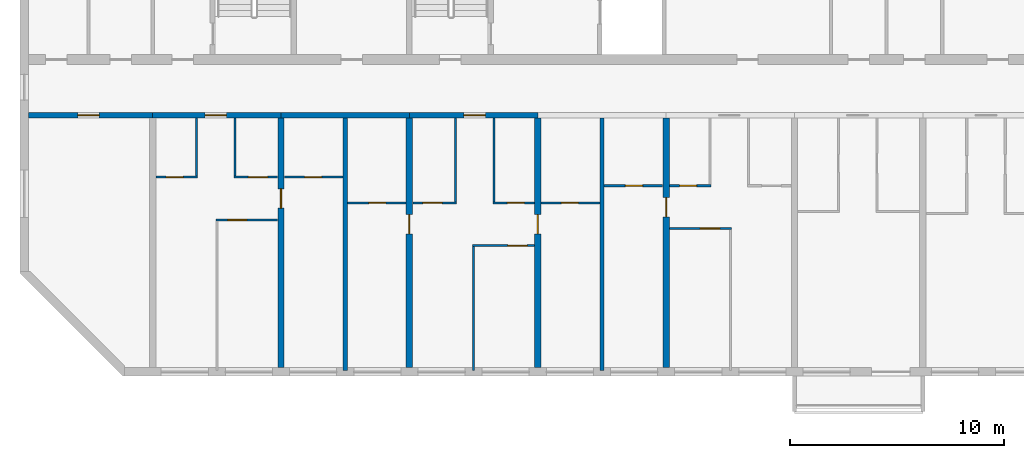
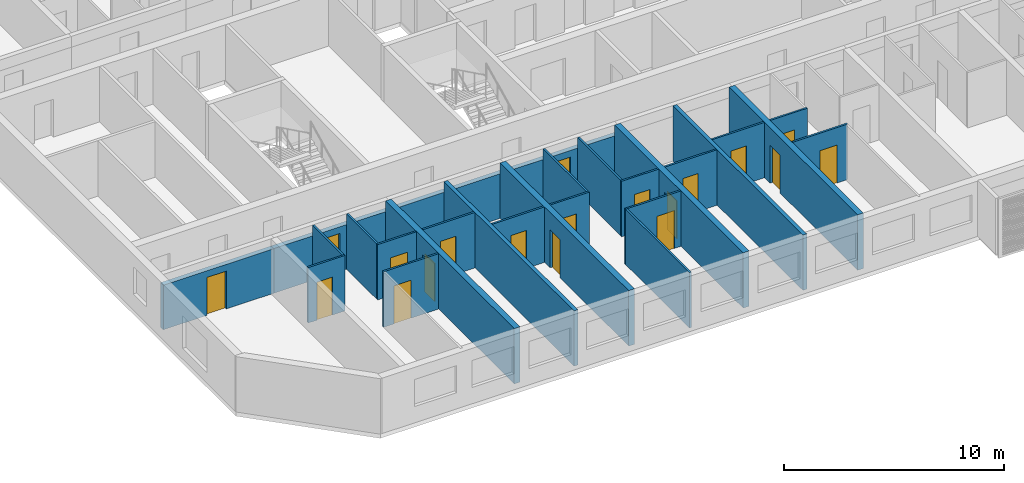
# One storey, part 2 of 31: 27 walls, 19 doors, 19 openings.
"""IFC4 building model written with IfcOpenShell, lengths in metres."""

from ifc_helpers import new_model, si_unit, direction, frame, frame_2d, origin, place, context, subcontext, project, spatial, rectangle, extrude, material, layer, layer_set, type_object, element, fill, save


model = new_model("IFC4")

# Units and contexts
model_context = context("Model", 3, precision=1e-05, world=origin(), true_north=direction((0.0, 1.0)))
body_context = subcontext(model_context, "Body", "Model", "MODEL_VIEW")
ifc_project = project(units=[si_unit("LENGTHUNIT", "METRE"), si_unit("AREAUNIT", "SQUARE_METRE"), si_unit("VOLUMEUNIT", "CUBIC_METRE"), si_unit("PLANEANGLEUNIT", "RADIAN"), si_unit("MASSUNIT", "GRAM", prefix="KILO")], contexts=[model_context])

# Site, building, storey
site_placement = place(None, origin())
site = spatial("IfcSite", under=ifc_project, at=site_placement, CompositionType="ELEMENT")
building_placement = place(site_placement, origin())
building = spatial("IfcBuilding", under=site, at=building_placement, Name="Poui Terraces", CompositionType="ELEMENT")
storey_placement = place(building_placement, frame((0.0, 0.0, 145.5)))
storey = spatial("IfcBuildingStorey", under=building, at=storey_placement, Name="L40", CompositionType="ELEMENT", Elevation=145.5)

# Wall, opening, door
ifc_material_1 = material(Name="Concrete 65 MPa", Category="concrete")
ifc_layer_1 = layer(ifc_material_1, 0.25)
ifc_layer_set_1 = layer_set([ifc_layer_1], Name="Concrete 65 MPa")
wall_type_1 = type_object("IfcWallType", Name="CORRIDOR WALL 250 65MPa", PredefinedType="SHEAR", material=ifc_layer_set_1)
wall_1_placement = place(storey_placement, frame((12.199951171875, 12.0, 0.0), z_axis=(0.0, 0.0, 1.0), x_axis=(1.0, 0.0, 0.0)))
wall_1 = element("IfcWall", 1, at=wall_1_placement, inside=storey, type_object=wall_type_1, Name="CORRIDOR WALL LINE B BAY 1", PredefinedType="SHEAR", context=body_context, shape_type="SweptSolid", body=[
    extrude(rectangle(XDim=5.800048828125, YDim=0.25, at=frame_2d((2.89990234375, 0.0))), origin(), (0.0, 0.0, 1.0), 2.469970703125),
])
opening_1_placement = place(wall_1_placement, frame((2.300048828125, 0.0, 0.0)))
opening_1 = element("IfcOpeningElement", 2, at=opening_1_placement, cuts=wall_1, Name="Opening D100", PredefinedType="OPENING", context=body_context, shape_type="SweptSolid", body=[
    extrude(rectangle(XDim=1.0, YDim=2.10009765625, at=frame_2d((0.5, 1.050048828125))), frame((0.0, 0.135009765625, 0.0), z_axis=(0.0, -1.0, 0.0), x_axis=(1.0, 0.0, 0.0)), (0.0, 0.0, 1.0), 0.27001953125),
])
ifc_material_2 = material(Name="Solid core timber door", Category="wood")
door_type_1 = type_object("IfcDoorType", Name="ACCESSIBLE INTERNAL DOOR 1000 X 2100", OperationType="NOTDEFINED", PredefinedType="DOOR", material=ifc_material_2)
door_1_placement = place(opening_1_placement, frame((1.0, 0.0, 0.0), z_axis=(0.0, 0.0, 1.0), x_axis=(-1.0, 0.0, 0.0)))
door_1 = element("IfcDoor", 3, at=door_1_placement, inside=storey, type_object=door_type_1, Name="ACCESSIBLE INTERNAL DOOR 077", OperationType="SINGLE_SWING_RIGHT", OverallHeight=2.10009765625, OverallWidth=1.0, PredefinedType="DOOR", context=body_context, shape_type="SweptSolid", body=[
    extrude(rectangle(XDim=1.0, YDim=2.10009765625, at=frame_2d((0.5, 1.050048828125))), frame((0.0, 0.02490234375, 0.0), z_axis=(0.0, -1.0, 0.0), x_axis=(1.0, 0.0, 0.0)), (0.0, 0.0, 1.0), 0.050048828125),
])
fill(opening_1, door_1)

wall_2_placement = place(storey_placement, frame((18.0, 12.0, 0.0), z_axis=(0.0, 0.0, 1.0), x_axis=(1.0, 0.0, 0.0)))
wall_2 = element("IfcWall", 4, at=wall_2_placement, inside=storey, type_object=wall_type_1, Name="CORRIDOR WALL LINE B BAY 2", PredefinedType="SHEAR", context=body_context, shape_type="SweptSolid", body=[
    extrude(rectangle(XDim=6.0, YDim=0.25, at=frame_2d((3.0, 0.0))), origin(), (0.0, 0.0, 1.0), 2.469970703125),
])
opening_2_placement = place(wall_2_placement, frame((2.449951171875, 0.0, 0.0)))
opening_2 = element("IfcOpeningElement", 5, at=opening_2_placement, cuts=wall_2, Name="Opening FD30S", PredefinedType="OPENING", context=body_context, shape_type="SweptSolid", body=[
    extrude(rectangle(XDim=1.0, YDim=2.10009765625, at=frame_2d((0.5, 1.050048828125))), frame((0.0, 0.135009765625, 0.0), z_axis=(0.0, -1.0, 0.0), x_axis=(1.0, 0.0, 0.0)), (0.0, 0.0, 1.0), 0.27001953125),
])
ifc_material_3 = material(Name="Steel fire door", Category="steel")
door_type_2 = type_object("IfcDoorType", Name="FLAT ENTRANCE DOOR 1000 X 2100", OperationType="NOTDEFINED", PredefinedType="DOOR", material=ifc_material_3)
door_2_placement = place(opening_2_placement, frame((1.0, 0.0, 0.0), z_axis=(0.0, 0.0, 1.0), x_axis=(-1.0, 0.0, 0.0)))
door_2 = element("IfcDoor", 6, at=door_2_placement, inside=storey, type_object=door_type_2, Name="FLAT ENTRANCE DOOR 080", OperationType="SINGLE_SWING_RIGHT", OverallHeight=2.10009765625, OverallWidth=1.0, PredefinedType="DOOR", context=body_context, shape_type="SweptSolid", body=[
    extrude(rectangle(XDim=1.0, YDim=2.10009765625, at=frame_2d((0.5, 1.050048828125))), frame((0.0, 0.02490234375, 0.0), z_axis=(0.0, -1.0, 0.0), x_axis=(1.0, 0.0, 0.0)), (0.0, 0.0, 1.0), 0.050048828125),
])
fill(opening_2, door_2)

# Wall
wall_3_placement = place(storey_placement, frame((24.0, 12.0, 0.0), z_axis=(0.0, 0.0, 1.0), x_axis=(1.0, 0.0, 0.0)))
element("IfcWall", 7, at=wall_3_placement, inside=storey, type_object=wall_type_1, Name="CORRIDOR WALL LINE B BAY 3", PredefinedType="SHEAR", context=body_context, shape_type="SweptSolid", body=[
    extrude(rectangle(XDim=6.0, YDim=0.25, at=frame_2d((3.0, 0.0))), origin(), (0.0, 0.0, 1.0), 2.469970703125),
])

# Wall, opening, door
wall_4_placement = place(storey_placement, frame((30.0, 12.0, 0.0), z_axis=(0.0, 0.0, 1.0), x_axis=(1.0, 0.0, 0.0)))
wall_4 = element("IfcWall", 8, at=wall_4_placement, inside=storey, type_object=wall_type_1, Name="CORRIDOR WALL LINE B BAY 4", PredefinedType="SHEAR", context=body_context, shape_type="SweptSolid", body=[
    extrude(rectangle(XDim=6.0, YDim=0.25, at=frame_2d((3.0, 0.0))), origin(), (0.0, 0.0, 1.0), 2.469970703125),
])
opening_3_placement = place(wall_4_placement, frame((2.550048828125, 0.0, 0.0)))
opening_3 = element("IfcOpeningElement", 9, at=opening_3_placement, cuts=wall_4, Name="Opening FD30S", PredefinedType="OPENING", context=body_context, shape_type="SweptSolid", body=[
    extrude(rectangle(XDim=1.0, YDim=2.10009765625, at=frame_2d((0.5, 1.050048828125))), frame((0.0, 0.135009765625, 0.0), z_axis=(0.0, -1.0, 0.0), x_axis=(1.0, 0.0, 0.0)), (0.0, 0.0, 1.0), 0.27001953125),
])
door_3_placement = place(opening_3_placement, frame((1.0, 0.0, 0.0), z_axis=(0.0, 0.0, 1.0), x_axis=(-1.0, 0.0, 0.0)))
door_3 = element("IfcDoor", 10, at=door_3_placement, inside=storey, type_object=door_type_2, Name="FLAT ENTRANCE DOOR 088", OperationType="SINGLE_SWING_LEFT", OverallHeight=2.10009765625, OverallWidth=1.0, PredefinedType="DOOR", context=body_context, shape_type="SweptSolid", body=[
    extrude(rectangle(XDim=1.0, YDim=2.10009765625, at=frame_2d((0.5, 1.050048828125))), frame((0.0, 0.02490234375, 0.0), z_axis=(0.0, -1.0, 0.0), x_axis=(1.0, 0.0, 0.0)), (0.0, 0.0, 1.0), 0.050048828125),
])
fill(opening_3, door_3)

ifc_layer_2 = layer(ifc_material_1, 0.300048828125)
ifc_layer_set_2 = layer_set([ifc_layer_2], Name="Concrete 65 MPa")
wall_type_2 = type_object("IfcWallType", Name="CROSS WALL 300 65MPa", PredefinedType="SHEAR", material=ifc_layer_set_2)
wall_5_placement = place(storey_placement, frame((24.0, 0.199951171875, 0.0), z_axis=(0.0, 0.0, 1.0), x_axis=(0.0, 1.0, 0.0)))
wall_5 = element("IfcWall", 11, at=wall_5_placement, inside=storey, type_object=wall_type_2, Name="CROSS WALL LINE 5 SOUTH", PredefinedType="SHEAR", context=body_context, shape_type="SweptSolid", body=[
    extrude(rectangle(XDim=11.675048828125, YDim=0.300048828125, at=frame_2d((5.83740234375, 0.0))), origin(), (0.0, 0.0, 1.0), 3.070068359375),
])
opening_4_placement = place(wall_5_placement, frame((7.449951171875, 0.0, 0.0)))
opening_4 = element("IfcOpeningElement", 12, at=opening_4_placement, cuts=wall_5, Name="Opening D90", PredefinedType="OPENING", context=body_context, shape_type="SweptSolid", body=[
    extrude(rectangle(XDim=0.89990234375, YDim=2.10009765625, at=frame_2d((0.449951171875, 1.050048828125))), frame((0.0, 0.16015625, 0.0), z_axis=(0.0, -1.0, 0.0), x_axis=(1.0, 0.0, 0.0)), (0.0, 0.0, 1.0), 0.320068359375),
])
door_type_3 = type_object("IfcDoorType", Name="INTERNAL DOOR 900 X 2100", OperationType="NOTDEFINED", PredefinedType="DOOR", material=ifc_material_2)
door_4_placement = place(opening_4_placement, frame((0.89990234375, 0.0, 0.0), z_axis=(0.0, 0.0, 1.0), x_axis=(-1.0, 0.0, 0.0)))
door_4 = element("IfcDoor", 13, at=door_4_placement, inside=storey, type_object=door_type_3, Name="INTERNAL DOOR 083", OperationType="SINGLE_SWING_LEFT", OverallHeight=2.10009765625, OverallWidth=0.89990234375, PredefinedType="DOOR", context=body_context, shape_type="SweptSolid", body=[
    extrude(rectangle(XDim=0.89990234375, YDim=2.10009765625, at=frame_2d((0.449951171875, 1.050048828125))), frame((0.0, 0.02490234375, 0.0), z_axis=(0.0, -1.0, 0.0), x_axis=(1.0, 0.0, 0.0)), (0.0, 0.0, 1.0), 0.050048828125),
])
fill(opening_4, door_4)

wall_6_placement = place(storey_placement, frame((30.0, 0.199951171875, 0.0), z_axis=(0.0, 0.0, 1.0), x_axis=(0.0, 1.0, 0.0)))
wall_6 = element("IfcWall", 14, at=wall_6_placement, inside=storey, type_object=wall_type_2, Name="CROSS WALL LINE 6 SOUTH", PredefinedType="SHEAR", context=body_context, shape_type="SweptSolid", body=[
    extrude(rectangle(XDim=11.675048828125, YDim=0.300048828125, at=frame_2d((5.83740234375, 0.0))), origin(), (0.0, 0.0, 1.0), 3.070068359375),
])
opening_5_placement = place(wall_6_placement, frame((6.25, 0.0, 0.0)))
opening_5 = element("IfcOpeningElement", 15, at=opening_5_placement, cuts=wall_6, Name="Opening D90", PredefinedType="OPENING", context=body_context, shape_type="SweptSolid", body=[
    extrude(rectangle(XDim=0.89990234375, YDim=2.10009765625, at=frame_2d((0.449951171875, 1.050048828125))), frame((0.0, 0.16015625, 0.0), z_axis=(0.0, -1.0, 0.0), x_axis=(1.0, 0.0, 0.0)), (0.0, 0.0, 1.0), 0.320068359375),
])
door_5_placement = place(opening_5_placement, origin())
door_5 = element("IfcDoor", 16, at=door_5_placement, inside=storey, type_object=door_type_3, Name="INTERNAL DOOR 086", OperationType="SINGLE_SWING_RIGHT", OverallHeight=2.10009765625, OverallWidth=0.89990234375, PredefinedType="DOOR", context=body_context, shape_type="SweptSolid", body=[
    extrude(rectangle(XDim=0.89990234375, YDim=2.10009765625, at=frame_2d((0.449951171875, 1.050048828125))), frame((0.0, 0.02490234375, 0.0), z_axis=(0.0, -1.0, 0.0), x_axis=(1.0, 0.0, 0.0)), (0.0, 0.0, 1.0), 0.050048828125),
])
fill(opening_5, door_5)

wall_7_placement = place(storey_placement, frame((36.0, 0.199951171875, 0.0), z_axis=(0.0, 0.0, 1.0), x_axis=(0.0, 1.0, 0.0)))
wall_7 = element("IfcWall", 17, at=wall_7_placement, inside=storey, type_object=wall_type_2, Name="CROSS WALL LINE 7 SOUTH", PredefinedType="SHEAR", context=body_context, shape_type="SweptSolid", body=[
    extrude(rectangle(XDim=11.675048828125, YDim=0.300048828125, at=frame_2d((5.83740234375, 0.0))), origin(), (0.0, 0.0, 1.0), 3.070068359375),
])
opening_6_placement = place(wall_7_placement, frame((6.25, 0.0, 0.0)))
opening_6 = element("IfcOpeningElement", 18, at=opening_6_placement, cuts=wall_7, Name="Opening D90", PredefinedType="OPENING", context=body_context, shape_type="SweptSolid", body=[
    extrude(rectangle(XDim=0.89990234375, YDim=2.10009765625, at=frame_2d((0.449951171875, 1.050048828125))), frame((0.0, 0.16015625, 0.0), z_axis=(0.0, -1.0, 0.0), x_axis=(1.0, 0.0, 0.0)), (0.0, 0.0, 1.0), 0.320068359375),
])
door_6_placement = place(opening_6_placement, frame((0.89990234375, 0.0, 0.0), z_axis=(0.0, 0.0, 1.0), x_axis=(-1.0, 0.0, 0.0)))
door_6 = element("IfcDoor", 19, at=door_6_placement, inside=storey, type_object=door_type_3, Name="INTERNAL DOOR 091", OperationType="SINGLE_SWING_LEFT", OverallHeight=2.10009765625, OverallWidth=0.89990234375, PredefinedType="DOOR", context=body_context, shape_type="SweptSolid", body=[
    extrude(rectangle(XDim=0.89990234375, YDim=2.10009765625, at=frame_2d((0.449951171875, 1.050048828125))), frame((0.0, 0.02490234375, 0.0), z_axis=(0.0, -1.0, 0.0), x_axis=(1.0, 0.0, 0.0)), (0.0, 0.0, 1.0), 0.050048828125),
])
fill(opening_6, door_6)

wall_8_placement = place(storey_placement, frame((42.0, 0.199951171875, 0.0), z_axis=(0.0, 0.0, 1.0), x_axis=(0.0, 1.0, 0.0)))
wall_8 = element("IfcWall", 20, at=wall_8_placement, inside=storey, type_object=wall_type_2, Name="CROSS WALL LINE 8 SOUTH", PredefinedType="SHEAR", context=body_context, shape_type="SweptSolid", body=[
    extrude(rectangle(XDim=11.675048828125, YDim=0.300048828125, at=frame_2d((5.83740234375, 0.0))), origin(), (0.0, 0.0, 1.0), 3.070068359375),
])
opening_7_placement = place(wall_8_placement, frame((7.050048828125, 0.0, 0.0)))
opening_7 = element("IfcOpeningElement", 21, at=opening_7_placement, cuts=wall_8, Name="Opening D90", PredefinedType="OPENING", context=body_context, shape_type="SweptSolid", body=[
    extrude(rectangle(XDim=0.89990234375, YDim=2.10009765625, at=frame_2d((0.449951171875, 1.050048828125))), frame((0.0, 0.16015625, 0.0), z_axis=(0.0, -1.0, 0.0), x_axis=(1.0, 0.0, 0.0)), (0.0, 0.0, 1.0), 0.320068359375),
])
door_7_placement = place(opening_7_placement, origin())
door_7 = element("IfcDoor", 22, at=door_7_placement, inside=storey, type_object=door_type_3, Name="INTERNAL DOOR 093", OperationType="SINGLE_SWING_RIGHT", OverallHeight=2.10009765625, OverallWidth=0.89990234375, PredefinedType="DOOR", context=body_context, shape_type="SweptSolid", body=[
    extrude(rectangle(XDim=0.89990234375, YDim=2.10009765625, at=frame_2d((0.449951171875, 1.050048828125))), frame((0.0, 0.02490234375, 0.0), z_axis=(0.0, -1.0, 0.0), x_axis=(1.0, 0.0, 0.0)), (0.0, 0.0, 1.0), 0.050048828125),
])
fill(opening_7, door_7)

ifc_material_4 = material(Name="Plasterboard partition")
ifc_layer_3 = layer(ifc_material_4, 0.10009765625)
ifc_layer_set_3 = layer_set([ifc_layer_3], Name="Plasterboard partition")
wall_type_3 = type_object("IfcWallType", Name="FLAT PARTITION 100", PredefinedType="PARTITIONING", material=ifc_layer_set_3)
wall_9_placement = place(storey_placement, frame((32.949951171875, 5.89990234375, 0.0), z_axis=(0.0, 0.0, 1.0), x_axis=(1.0, 0.0, 0.0)))
wall_9 = element("IfcWall", 23, at=wall_9_placement, inside=storey, type_object=wall_type_3, Name="FLAT PARTITION 100", PredefinedType="PARTITIONING", context=body_context, shape_type="SweptSolid", body=[
    extrude(rectangle(XDim=2.89013671875, YDim=0.10009765625, at=frame_2d((1.445068359375, 0.0))), origin(), (0.0, 0.0, 1.0), 3.070068359375),
])
opening_8_placement = place(wall_9_placement, frame((1.64990234375, 0.0, 0.0)))
opening_8 = element("IfcOpeningElement", 24, at=opening_8_placement, cuts=wall_9, Name="Opening D90", PredefinedType="OPENING", context=body_context, shape_type="SweptSolid", body=[
    extrude(rectangle(XDim=0.89990234375, YDim=2.10009765625, at=frame_2d((0.449951171875, 1.050048828125))), frame((0.0, 0.06005859375, 0.0), z_axis=(0.0, -1.0, 0.0), x_axis=(1.0, 0.0, 0.0)), (0.0, 0.0, 1.0), 0.1201171875),
])
door_8_placement = place(opening_8_placement, origin())
door_8 = element("IfcDoor", 25, at=door_8_placement, inside=storey, type_object=door_type_3, Name="INTERNAL DOOR 090", OperationType="SINGLE_SWING_LEFT", OverallHeight=2.10009765625, OverallWidth=0.89990234375, PredefinedType="DOOR", context=body_context, shape_type="SweptSolid", body=[
    extrude(rectangle(XDim=0.89990234375, YDim=2.10009765625, at=frame_2d((0.449951171875, 1.050048828125))), frame((0.0, 0.02490234375, 0.0), z_axis=(0.0, -1.0, 0.0), x_axis=(1.0, 0.0, 0.0)), (0.0, 0.0, 1.0), 0.050048828125),
])
fill(opening_8, door_8)

wall_10_placement = place(storey_placement, frame((42.159912109375, 6.699951171875, 0.0), z_axis=(0.0, 0.0, 1.0), x_axis=(1.0, 0.0, 0.0)))
wall_10 = element("IfcWall", 26, at=wall_10_placement, inside=storey, type_object=wall_type_3, Name="FLAT PARTITION 100", PredefinedType="PARTITIONING", context=body_context, shape_type="SweptSolid", body=[
    extrude(rectangle(XDim=2.89013671875, YDim=0.10009765625, at=frame_2d((1.445068359375, 0.0))), origin(), (0.0, 0.0, 1.0), 3.070068359375),
])
opening_9_placement = place(wall_10_placement, frame((1.43994140625, 0.0, 0.0)))
opening_9 = element("IfcOpeningElement", 27, at=opening_9_placement, cuts=wall_10, Name="Opening D90", PredefinedType="OPENING", context=body_context, shape_type="SweptSolid", body=[
    extrude(rectangle(XDim=0.89990234375, YDim=2.10009765625, at=frame_2d((0.449951171875, 1.050048828125))), frame((0.0, 0.06005859375, 0.0), z_axis=(0.0, -1.0, 0.0), x_axis=(1.0, 0.0, 0.0)), (0.0, 0.0, 1.0), 0.1201171875),
])
door_9_placement = place(opening_9_placement, origin())
door_9 = element("IfcDoor", 28, at=door_9_placement, inside=storey, type_object=door_type_3, Name="INTERNAL DOOR 095", OperationType="SINGLE_SWING_LEFT", OverallHeight=2.10009765625, OverallWidth=0.89990234375, PredefinedType="DOOR", context=body_context, shape_type="SweptSolid", body=[
    extrude(rectangle(XDim=0.89990234375, YDim=2.10009765625, at=frame_2d((0.449951171875, 1.050048828125))), frame((0.0, 0.02490234375, 0.0), z_axis=(0.0, -1.0, 0.0), x_axis=(1.0, 0.0, 0.0)), (0.0, 0.0, 1.0), 0.050048828125),
])
fill(opening_9, door_9)

wall_11_placement = place(storey_placement, frame((20.949951171875, 7.10009765625, 0.0), z_axis=(0.0, 0.0, 1.0), x_axis=(1.0, 0.0, 0.0)))
wall_11 = element("IfcWall", 29, at=wall_11_placement, inside=storey, type_object=wall_type_3, Name="FLAT PARTITION 100", PredefinedType="PARTITIONING", context=body_context, shape_type="SweptSolid", body=[
    extrude(rectangle(XDim=2.89013671875, YDim=0.10009765625, at=frame_2d((1.445068359375, 0.0))), origin(), (0.0, 0.0, 1.0), 3.070068359375),
])
opening_10_placement = place(wall_11_placement, frame((0.550048828125, 0.0, 0.0)))
opening_10 = element("IfcOpeningElement", 30, at=opening_10_placement, cuts=wall_11, Name="Opening D90", PredefinedType="OPENING", context=body_context, shape_type="SweptSolid", body=[
    extrude(rectangle(XDim=0.89990234375, YDim=2.10009765625, at=frame_2d((0.449951171875, 1.050048828125))), frame((0.0, 0.06005859375, 0.0), z_axis=(0.0, -1.0, 0.0), x_axis=(1.0, 0.0, 0.0)), (0.0, 0.0, 1.0), 0.1201171875),
])
door_10_placement = place(opening_10_placement, origin())
door_10 = element("IfcDoor", 31, at=door_10_placement, inside=storey, type_object=door_type_3, Name="INTERNAL DOOR 081", OperationType="SINGLE_SWING_RIGHT", OverallHeight=2.10009765625, OverallWidth=0.89990234375, PredefinedType="DOOR", context=body_context, shape_type="SweptSolid", body=[
    extrude(rectangle(XDim=0.89990234375, YDim=2.10009765625, at=frame_2d((0.449951171875, 1.050048828125))), frame((0.0, 0.02490234375, 0.0), z_axis=(0.0, -1.0, 0.0), x_axis=(1.0, 0.0, 0.0)), (0.0, 0.0, 1.0), 0.050048828125),
])
fill(opening_10, door_10)

wall_12_placement = place(storey_placement, frame((27.10009765625, 7.89990234375, 0.0), z_axis=(0.0, 0.0, 1.0), x_axis=(1.0, 0.0, 0.0)))
wall_12 = element("IfcWall", 32, at=wall_12_placement, inside=storey, type_object=wall_type_3, Name="FLAT PARTITION 100", PredefinedType="PARTITIONING", context=body_context, shape_type="SweptSolid", body=[
    extrude(rectangle(XDim=2.739990234375, YDim=0.10009765625, at=frame_2d((1.3701171875, 0.0))), origin(), (0.0, 0.0, 1.0), 3.070068359375),
])
opening_11_placement = place(wall_12_placement, frame((1.0, 0.0, 0.0)))
opening_11 = element("IfcOpeningElement", 33, at=opening_11_placement, cuts=wall_12, Name="Opening D80", PredefinedType="OPENING", context=body_context, shape_type="SweptSolid", body=[
    extrude(rectangle(XDim=0.800048828125, YDim=2.10009765625, at=frame_2d((0.39990234375, 1.050048828125))), frame((0.0, 0.06005859375, 0.0), z_axis=(0.0, -1.0, 0.0), x_axis=(1.0, 0.0, 0.0)), (0.0, 0.0, 1.0), 0.1201171875),
])
door_type_4 = type_object("IfcDoorType", Name="BATHROOM, LAUNDRY AND STORE DOOR 800 X 2100", OperationType="NOTDEFINED", PredefinedType="DOOR", material=ifc_material_2)
door_11_placement = place(opening_11_placement, origin())
door_11 = element("IfcDoor", 34, at=door_11_placement, inside=storey, type_object=door_type_4, Name="BATHROOM, LAUNDRY AND STORE DOOR 084", OperationType="SINGLE_SWING_LEFT", OverallHeight=2.10009765625, OverallWidth=0.800048828125, PredefinedType="DOOR", context=body_context, shape_type="SweptSolid", body=[
    extrude(rectangle(XDim=0.800048828125, YDim=2.10009765625, at=frame_2d((0.39990234375, 1.050048828125))), frame((0.0, 0.02490234375, 0.0), z_axis=(0.0, -1.0, 0.0), x_axis=(1.0, 0.0, 0.0)), (0.0, 0.0, 1.0), 0.050048828125),
])
fill(opening_11, door_11)

wall_13_placement = place(storey_placement, frame((30.159912109375, 7.89990234375, 0.0), z_axis=(0.0, 0.0, 1.0), x_axis=(1.0, 0.0, 0.0)))
wall_13 = element("IfcWall", 35, at=wall_13_placement, inside=storey, type_object=wall_type_3, Name="FLAT PARTITION 100", PredefinedType="PARTITIONING", context=body_context, shape_type="SweptSolid", body=[
    extrude(rectangle(XDim=2.0400390625, YDim=0.10009765625, at=frame_2d((1.02001953125, 0.0))), origin(), (0.0, 0.0, 1.0), 3.070068359375),
])
opening_12_placement = place(wall_13_placement, frame((0.465087890625, 0.0, 0.0)))
opening_12 = element("IfcOpeningElement", 36, at=opening_12_placement, cuts=wall_13, Name="Opening D90", PredefinedType="OPENING", context=body_context, shape_type="SweptSolid", body=[
    extrude(rectangle(XDim=0.89990234375, YDim=2.10009765625, at=frame_2d((0.449951171875, 1.050048828125))), frame((0.0, 0.06005859375, 0.0), z_axis=(0.0, -1.0, 0.0), x_axis=(1.0, 0.0, 0.0)), (0.0, 0.0, 1.0), 0.1201171875),
])
door_12_placement = place(opening_12_placement, origin())
door_12 = element("IfcDoor", 37, at=door_12_placement, inside=storey, type_object=door_type_3, Name="INTERNAL DOOR 087", OperationType="SINGLE_SWING_LEFT", OverallHeight=2.10009765625, OverallWidth=0.89990234375, PredefinedType="DOOR", context=body_context, shape_type="SweptSolid", body=[
    extrude(rectangle(XDim=0.89990234375, YDim=2.10009765625, at=frame_2d((0.449951171875, 1.050048828125))), frame((0.0, 0.02490234375, 0.0), z_axis=(0.0, -1.0, 0.0), x_axis=(1.0, 0.0, 0.0)), (0.0, 0.0, 1.0), 0.050048828125),
])
fill(opening_12, door_12)

wall_14_placement = place(storey_placement, frame((33.89990234375, 7.89990234375, 0.0), z_axis=(0.0, 0.0, 1.0), x_axis=(1.0, 0.0, 0.0)))
wall_14 = element("IfcWall", 38, at=wall_14_placement, inside=storey, type_object=wall_type_3, Name="FLAT PARTITION 100", PredefinedType="PARTITIONING", context=body_context, shape_type="SweptSolid", body=[
    extrude(rectangle(XDim=1.940185546875, YDim=0.10009765625, at=frame_2d((0.97021484375, 0.0))), origin(), (0.0, 0.0, 1.0), 3.070068359375),
])
opening_13_placement = place(wall_14_placement, frame((0.675048828125, 0.0, 0.0)))
opening_13 = element("IfcOpeningElement", 39, at=opening_13_placement, cuts=wall_14, Name="Opening D80", PredefinedType="OPENING", context=body_context, shape_type="SweptSolid", body=[
    extrude(rectangle(XDim=0.800048828125, YDim=2.10009765625, at=frame_2d((0.39990234375, 1.050048828125))), frame((0.0, 0.06005859375, 0.0), z_axis=(0.0, -1.0, 0.0), x_axis=(1.0, 0.0, 0.0)), (0.0, 0.0, 1.0), 0.1201171875),
])
door_13_placement = place(opening_13_placement, origin())
door_13 = element("IfcDoor", 40, at=door_13_placement, inside=storey, type_object=door_type_4, Name="BATHROOM, LAUNDRY AND STORE DOOR 089", OperationType="SINGLE_SWING_RIGHT", OverallHeight=2.10009765625, OverallWidth=0.800048828125, PredefinedType="DOOR", context=body_context, shape_type="SweptSolid", body=[
    extrude(rectangle(XDim=0.800048828125, YDim=2.10009765625, at=frame_2d((0.39990234375, 1.050048828125))), frame((0.0, 0.02490234375, 0.0), z_axis=(0.0, -1.0, 0.0), x_axis=(1.0, 0.0, 0.0)), (0.0, 0.0, 1.0), 0.050048828125),
])
fill(opening_13, door_13)

wall_15_placement = place(storey_placement, frame((36.159912109375, 7.89990234375, 0.0), z_axis=(0.0, 0.0, 1.0), x_axis=(1.0, 0.0, 0.0)))
wall_15 = element("IfcWall", 41, at=wall_15_placement, inside=storey, type_object=wall_type_3, Name="FLAT PARTITION 100", PredefinedType="PARTITIONING", context=body_context, shape_type="SweptSolid", body=[
    extrude(rectangle(XDim=2.739990234375, YDim=0.10009765625, at=frame_2d((1.3701171875, 0.0))), origin(), (0.0, 0.0, 1.0), 3.070068359375),
])
opening_14_placement = place(wall_15_placement, frame((0.93994140625, 0.0, 0.0)))
opening_14 = element("IfcOpeningElement", 42, at=opening_14_placement, cuts=wall_15, Name="Opening D80", PredefinedType="OPENING", context=body_context, shape_type="SweptSolid", body=[
    extrude(rectangle(XDim=0.800048828125, YDim=2.10009765625, at=frame_2d((0.39990234375, 1.050048828125))), frame((0.0, 0.06005859375, 0.0), z_axis=(0.0, -1.0, 0.0), x_axis=(1.0, 0.0, 0.0)), (0.0, 0.0, 1.0), 0.1201171875),
])
door_14_placement = place(opening_14_placement, origin())
door_14 = element("IfcDoor", 43, at=door_14_placement, inside=storey, type_object=door_type_4, Name="BATHROOM, LAUNDRY AND STORE DOOR 085", OperationType="SINGLE_SWING_LEFT", OverallHeight=2.10009765625, OverallWidth=0.800048828125, PredefinedType="DOOR", context=body_context, shape_type="SweptSolid", body=[
    extrude(rectangle(XDim=0.800048828125, YDim=2.10009765625, at=frame_2d((0.39990234375, 1.050048828125))), frame((0.0, 0.02490234375, 0.0), z_axis=(0.0, -1.0, 0.0), x_axis=(1.0, 0.0, 0.0)), (0.0, 0.0, 1.0), 0.050048828125),
])
fill(opening_14, door_14)

wall_16_placement = place(storey_placement, frame((39.10009765625, 8.699951171875, 0.0), z_axis=(0.0, 0.0, 1.0), x_axis=(1.0, 0.0, 0.0)))
wall_16 = element("IfcWall", 44, at=wall_16_placement, inside=storey, type_object=wall_type_3, Name="FLAT PARTITION 100", PredefinedType="PARTITIONING", context=body_context, shape_type="SweptSolid", body=[
    extrude(rectangle(XDim=2.739990234375, YDim=0.10009765625, at=frame_2d((1.3701171875, 0.0))), origin(), (0.0, 0.0, 1.0), 3.070068359375),
])
opening_15_placement = place(wall_16_placement, frame((1.0, 0.0, 0.0)))
opening_15 = element("IfcOpeningElement", 45, at=opening_15_placement, cuts=wall_16, Name="Opening D80", PredefinedType="OPENING", context=body_context, shape_type="SweptSolid", body=[
    extrude(rectangle(XDim=0.800048828125, YDim=2.10009765625, at=frame_2d((0.39990234375, 1.050048828125))), frame((0.0, 0.06005859375, 0.0), z_axis=(0.0, -1.0, 0.0), x_axis=(1.0, 0.0, 0.0)), (0.0, 0.0, 1.0), 0.1201171875),
])
door_15_placement = place(opening_15_placement, origin())
door_15 = element("IfcDoor", 46, at=door_15_placement, inside=storey, type_object=door_type_4, Name="BATHROOM, LAUNDRY AND STORE DOOR 092", OperationType="SINGLE_SWING_RIGHT", OverallHeight=2.10009765625, OverallWidth=0.800048828125, PredefinedType="DOOR", context=body_context, shape_type="SweptSolid", body=[
    extrude(rectangle(XDim=0.800048828125, YDim=2.10009765625, at=frame_2d((0.39990234375, 1.050048828125))), frame((0.0, 0.02490234375, 0.0), z_axis=(0.0, -1.0, 0.0), x_axis=(1.0, 0.0, 0.0)), (0.0, 0.0, 1.0), 0.050048828125),
])
fill(opening_15, door_15)

wall_17_placement = place(storey_placement, frame((42.159912109375, 8.699951171875, 0.0), z_axis=(0.0, 0.0, 1.0), x_axis=(1.0, 0.0, 0.0)))
wall_17 = element("IfcWall", 47, at=wall_17_placement, inside=storey, type_object=wall_type_3, Name="FLAT PARTITION 100", PredefinedType="PARTITIONING", context=body_context, shape_type="SweptSolid", body=[
    extrude(rectangle(XDim=1.940185546875, YDim=0.10009765625, at=frame_2d((0.97021484375, 0.0))), origin(), (0.0, 0.0, 1.0), 3.070068359375),
])
opening_16_placement = place(wall_17_placement, frame((0.465087890625, 0.0, 0.0)))
opening_16 = element("IfcOpeningElement", 48, at=opening_16_placement, cuts=wall_17, Name="Opening D80", PredefinedType="OPENING", context=body_context, shape_type="SweptSolid", body=[
    extrude(rectangle(XDim=0.800048828125, YDim=2.10009765625, at=frame_2d((0.39990234375, 1.050048828125))), frame((0.0, 0.06005859375, 0.0), z_axis=(0.0, -1.0, 0.0), x_axis=(1.0, 0.0, 0.0)), (0.0, 0.0, 1.0), 0.1201171875),
])
door_16_placement = place(opening_16_placement, origin())
door_16 = element("IfcDoor", 49, at=door_16_placement, inside=storey, type_object=door_type_4, Name="BATHROOM, LAUNDRY AND STORE DOOR 094", OperationType="SINGLE_SWING_RIGHT", OverallHeight=2.10009765625, OverallWidth=0.800048828125, PredefinedType="DOOR", context=body_context, shape_type="SweptSolid", body=[
    extrude(rectangle(XDim=0.800048828125, YDim=2.10009765625, at=frame_2d((0.39990234375, 1.050048828125))), frame((0.0, 0.02490234375, 0.0), z_axis=(0.0, -1.0, 0.0), x_axis=(1.0, 0.0, 0.0)), (0.0, 0.0, 1.0), 0.050048828125),
])
fill(opening_16, door_16)

wall_18_placement = place(storey_placement, frame((18.159912109375, 9.10009765625, 0.0), z_axis=(0.0, 0.0, 1.0), x_axis=(1.0, 0.0, 0.0)))
wall_18 = element("IfcWall", 50, at=wall_18_placement, inside=storey, type_object=wall_type_3, Name="FLAT PARTITION 100", PredefinedType="PARTITIONING", context=body_context, shape_type="SweptSolid", body=[
    extrude(rectangle(XDim=1.940185546875, YDim=0.10009765625, at=frame_2d((0.97021484375, 0.0))), origin(), (0.0, 0.0, 1.0), 3.070068359375),
])
opening_17_placement = place(wall_18_placement, frame((0.465087890625, 0.0, 0.0)))
opening_17 = element("IfcOpeningElement", 51, at=opening_17_placement, cuts=wall_18, Name="Opening D80", PredefinedType="OPENING", context=body_context, shape_type="SweptSolid", body=[
    extrude(rectangle(XDim=0.800048828125, YDim=2.10009765625, at=frame_2d((0.39990234375, 1.050048828125))), frame((0.0, 0.06005859375, 0.0), z_axis=(0.0, -1.0, 0.0), x_axis=(1.0, 0.0, 0.0)), (0.0, 0.0, 1.0), 0.1201171875),
])
door_17_placement = place(opening_17_placement, origin())
door_17 = element("IfcDoor", 52, at=door_17_placement, inside=storey, type_object=door_type_4, Name="BATHROOM, LAUNDRY AND STORE DOOR 079", OperationType="SINGLE_SWING_RIGHT", OverallHeight=2.10009765625, OverallWidth=0.800048828125, PredefinedType="DOOR", context=body_context, shape_type="SweptSolid", body=[
    extrude(rectangle(XDim=0.800048828125, YDim=2.10009765625, at=frame_2d((0.39990234375, 1.050048828125))), frame((0.0, 0.02490234375, 0.0), z_axis=(0.0, -1.0, 0.0), x_axis=(1.0, 0.0, 0.0)), (0.0, 0.0, 1.0), 0.050048828125),
])
fill(opening_17, door_17)

wall_19_placement = place(storey_placement, frame((21.800048828125, 9.10009765625, 0.0), z_axis=(0.0, 0.0, 1.0), x_axis=(1.0, 0.0, 0.0)))
wall_19 = element("IfcWall", 53, at=wall_19_placement, inside=storey, type_object=wall_type_3, Name="FLAT PARTITION 100", PredefinedType="PARTITIONING", context=body_context, shape_type="SweptSolid", body=[
    extrude(rectangle(XDim=2.0400390625, YDim=0.10009765625, at=frame_2d((1.02001953125, 0.0))), origin(), (0.0, 0.0, 1.0), 3.070068359375),
])
opening_18_placement = place(wall_19_placement, frame((0.675048828125, 0.0, 0.0)))
opening_18 = element("IfcOpeningElement", 54, at=opening_18_placement, cuts=wall_19, Name="Opening D90", PredefinedType="OPENING", context=body_context, shape_type="SweptSolid", body=[
    extrude(rectangle(XDim=0.89990234375, YDim=2.10009765625, at=frame_2d((0.449951171875, 1.050048828125))), frame((0.0, 0.06005859375, 0.0), z_axis=(0.0, -1.0, 0.0), x_axis=(1.0, 0.0, 0.0)), (0.0, 0.0, 1.0), 0.1201171875),
])
door_18_placement = place(opening_18_placement, origin())
door_18 = element("IfcDoor", 55, at=door_18_placement, inside=storey, type_object=door_type_3, Name="INTERNAL DOOR 082", OperationType="SINGLE_SWING_LEFT", OverallHeight=2.10009765625, OverallWidth=0.89990234375, PredefinedType="DOOR", context=body_context, shape_type="SweptSolid", body=[
    extrude(rectangle(XDim=0.89990234375, YDim=2.10009765625, at=frame_2d((0.449951171875, 1.050048828125))), frame((0.0, 0.02490234375, 0.0), z_axis=(0.0, -1.0, 0.0), x_axis=(1.0, 0.0, 0.0)), (0.0, 0.0, 1.0), 0.050048828125),
])
fill(opening_18, door_18)

wall_20_placement = place(storey_placement, frame((24.159912109375, 9.10009765625, 0.0), z_axis=(0.0, 0.0, 1.0), x_axis=(1.0, 0.0, 0.0)))
wall_20 = element("IfcWall", 56, at=wall_20_placement, inside=storey, type_object=wall_type_3, Name="FLAT PARTITION 100", PredefinedType="PARTITIONING", context=body_context, shape_type="SweptSolid", body=[
    extrude(rectangle(XDim=2.739990234375, YDim=0.10009765625, at=frame_2d((1.3701171875, 0.0))), origin(), (0.0, 0.0, 1.0), 3.070068359375),
])
opening_19_placement = place(wall_20_placement, frame((0.93994140625, 0.0, 0.0)))
opening_19 = element("IfcOpeningElement", 57, at=opening_19_placement, cuts=wall_20, Name="Opening D80", PredefinedType="OPENING", context=body_context, shape_type="SweptSolid", body=[
    extrude(rectangle(XDim=0.800048828125, YDim=2.10009765625, at=frame_2d((0.39990234375, 1.050048828125))), frame((0.0, 0.06005859375, 0.0), z_axis=(0.0, -1.0, 0.0), x_axis=(1.0, 0.0, 0.0)), (0.0, 0.0, 1.0), 0.1201171875),
])
door_19_placement = place(opening_19_placement, origin())
door_19 = element("IfcDoor", 58, at=door_19_placement, inside=storey, type_object=door_type_4, Name="BATHROOM, LAUNDRY AND STORE DOOR 078", OperationType="SINGLE_SWING_RIGHT", OverallHeight=2.10009765625, OverallWidth=0.800048828125, PredefinedType="DOOR", context=body_context, shape_type="SweptSolid", body=[
    extrude(rectangle(XDim=0.800048828125, YDim=2.10009765625, at=frame_2d((0.39990234375, 1.050048828125))), frame((0.0, 0.02490234375, 0.0), z_axis=(0.0, -1.0, 0.0), x_axis=(1.0, 0.0, 0.0)), (0.0, 0.0, 1.0), 0.050048828125),
])
fill(opening_19, door_19)

# Walls
for number, where, z_axis, x_axis, name in (
    (59, (20.050048828125, 9.14990234375, 0.0), (0.0, 0.0, 1.0), (0.0, 1.0, 0.0), "FLAT PARTITION 100"),
    (60, (21.85009765625, 9.14990234375, 0.0), (0.0, 0.0, 1.0), (0.0, 1.0, 0.0), "FLAT PARTITION 100"),
):
    element("IfcWall", number, at=place(storey_placement, frame(where, z_axis=z_axis, x_axis=x_axis)), inside=storey, type_object=wall_type_3, Name=name, PredefinedType="PARTITIONING", context=body_context, shape_type="SweptSolid", body=[
        extrude(rectangle(XDim=2.715087890625, YDim=0.10009765625, at=frame_2d((1.357421875, 0.0))), origin(), (0.0, 0.0, 1.0), 3.070068359375),
    ])
wall_21_placement = place(storey_placement, frame((32.14990234375, 7.949951171875, 0.0), z_axis=(0.0, 0.0, 1.0), x_axis=(0.0, 1.0, 0.0)))
element("IfcWall", 61, at=wall_21_placement, inside=storey, type_object=wall_type_3, Name="FLAT PARTITION 100", PredefinedType="PARTITIONING", context=body_context, shape_type="SweptSolid", body=[
    extrude(rectangle(XDim=3.9150390625, YDim=0.10009765625, at=frame_2d((1.95751953125, 0.0))), origin(), (0.0, 0.0, 1.0), 3.070068359375),
])
wall_22_placement = place(storey_placement, frame((33.0, 0.06005859375, 0.0), z_axis=(0.0, 0.0, 1.0), x_axis=(0.0, 1.0, 0.0)))
element("IfcWall", 62, at=wall_22_placement, inside=storey, type_object=wall_type_3, Name="FLAT PARTITION 100", PredefinedType="PARTITIONING", context=body_context, shape_type="SweptSolid", body=[
    extrude(rectangle(XDim=5.7900390625, YDim=0.10009765625, at=frame_2d((2.89501953125, 0.0))), origin(), (0.0, 0.0, 1.0), 3.070068359375),
])
wall_23_placement = place(storey_placement, frame((33.949951171875, 7.949951171875, 0.0), z_axis=(0.0, 0.0, 1.0), x_axis=(0.0, 1.0, 0.0)))
element("IfcWall", 63, at=wall_23_placement, inside=storey, type_object=wall_type_3, Name="FLAT PARTITION 100", PredefinedType="PARTITIONING", context=body_context, shape_type="SweptSolid", body=[
    extrude(rectangle(XDim=3.9150390625, YDim=0.10009765625, at=frame_2d((1.95751953125, 0.0))), origin(), (0.0, 0.0, 1.0), 3.070068359375),
])
ifc_material_5 = material(Name="Fire-rated masonry wall", Category="masonry")
ifc_layer_4 = layer(ifc_material_5, 0.199951171875)
ifc_layer_set_4 = layer_set([ifc_layer_4], Name="Fire-rated masonry wall")
wall_type_4 = type_object("IfcWallType", Name="FLAT PARTY WALL 200", PredefinedType="PARTITIONING", material=ifc_layer_set_4)
for number, where, z_axis, x_axis, name in (
    (64, (27.0, 0.06005859375, 0.0), (0.0, 0.0, 1.0), (0.0, 1.0, 0.0), "FLAT PARTY WALL 200"),
    (65, (39.0, 0.06005859375, 0.0), (0.0, 0.0, 1.0), (0.0, 1.0, 0.0), "FLAT PARTY WALL 200"),
):
    element("IfcWall", number, at=place(storey_placement, frame(where, z_axis=z_axis, x_axis=x_axis)), inside=storey, type_object=wall_type_4, Name=name, PredefinedType="PARTITIONING", context=body_context, shape_type="SweptSolid", body=[
        extrude(rectangle(XDim=11.804931640625, YDim=0.199951171875, at=frame_2d((5.90234375, 0.0))), origin(), (0.0, 0.0, 1.0), 3.070068359375),
    ])

save(model, "model.ifc")
